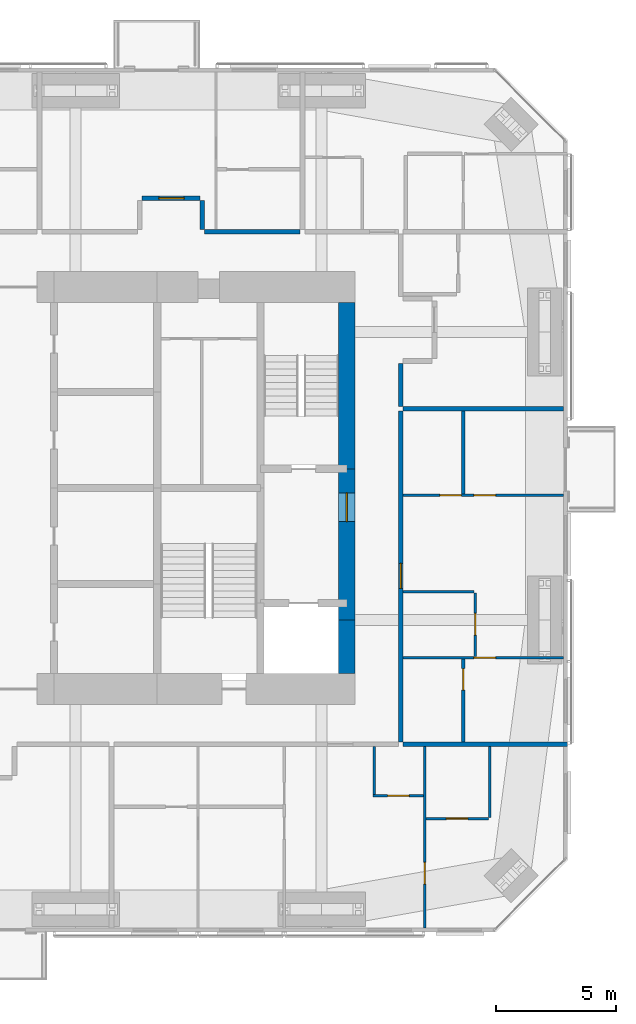
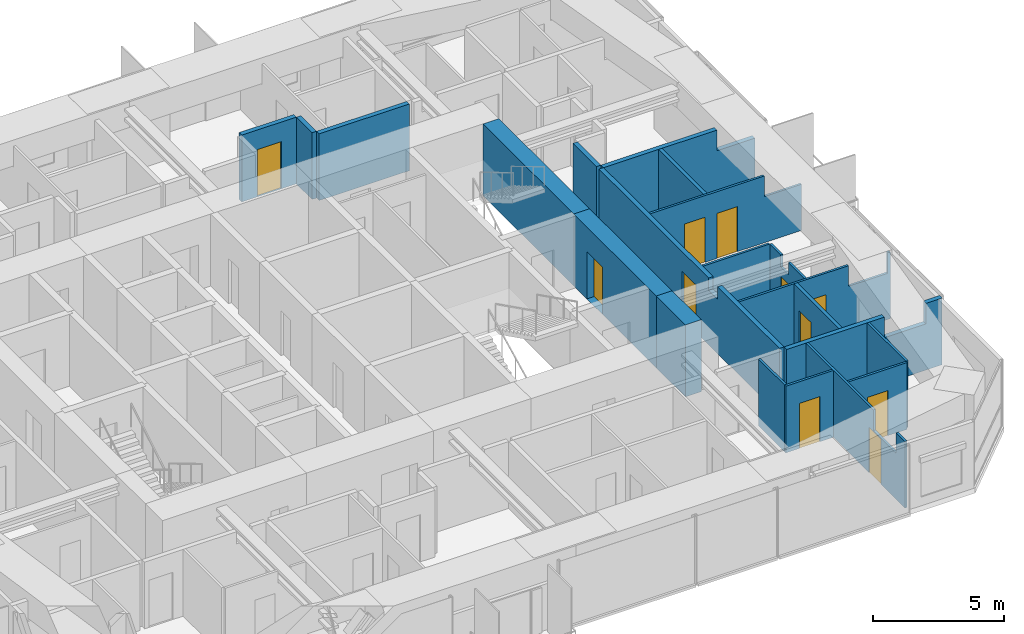
# One storey, part 20 of 23: 21 walls, 11 doors, 11 openings.
"""IFC4 building model written with IfcOpenShell, lengths in metres."""

from ifc_helpers import new_model, si_unit, direction, frame, frame_2d, origin, place, context, subcontext, project, spatial, polyline, rectangle, outline, extrude, material, layer, layer_set, constituent, constituent_set, type_object, element, fill, save


model = new_model("IFC4")

# Units and contexts
model_context = context("Model", 3, precision=1e-05, world=origin(), true_north=direction((0.0, 1.0)))
body_context = subcontext(model_context, "Body", "Model", "MODEL_VIEW")
ifc_project = project(units=[si_unit("LENGTHUNIT", "METRE"), si_unit("AREAUNIT", "SQUARE_METRE"), si_unit("VOLUMEUNIT", "CUBIC_METRE"), si_unit("PLANEANGLEUNIT", "RADIAN"), si_unit("MASSUNIT", "GRAM", prefix="KILO")], contexts=[model_context])

# Site, building, storey
site_placement = place(None, origin())
site = spatial("IfcSite", under=ifc_project, at=site_placement, CompositionType="ELEMENT")
building_placement = place(site_placement, origin())
building = spatial("IfcBuilding", under=site, at=building_placement, Name="Jalousie Tower", CompositionType="ELEMENT")
storey_placement = place(building_placement, frame((0.0, 0.0, 191.199951171875)))
storey = spatial("IfcBuildingStorey", under=building, at=storey_placement, Name="L52", CompositionType="ELEMENT", Elevation=191.199951171875)

# Wall, opening, door
ifc_material_1 = material(Name="Concrete block ASTM C90", Category="concrete")
ifc_constituent_1 = constituent(ifc_material_1, Name="Body")
ifc_material_2 = material(Name="Render")
ifc_constituent_2 = constituent(ifc_material_2, Name="Finish")
ifc_constituent_set_1 = constituent_set(constituents=[ifc_constituent_1, ifc_constituent_2])
wall_type_1 = type_object("IfcWallType", Name="BATHROOM WALL 150", PredefinedType="PLUMBINGWALL", material=ifc_constituent_set_1)
wall_1_placement = place(storey_placement, frame((48.64990234375, 7.925048828125, 0.0), z_axis=(0.0, 0.0, 1.0), x_axis=(0.0, 1.0, 0.0)))
wall_1 = element("IfcWall", 1, at=wall_1_placement, inside=storey, type_object=wall_type_1, Name="Bathroom Wall 150 L52", PredefinedType="PLUMBINGWALL", context=body_context, shape_type="SweptSolid", body=[
    extrude(rectangle(XDim=3.449951171875, YDim=0.14990234375, at=frame_2d((1.72509765625, 0.0))), origin(), (0.0, 0.0, 1.0), 3.110107421875),
])
opening_1_placement = place(wall_1_placement, frame((2.14990234375, 0.0, 0.0)))
opening_1 = element("IfcOpeningElement", 2, at=opening_1_placement, cuts=wall_1, Name="Opening D3", PredefinedType="OPENING", context=body_context, shape_type="SweptSolid", body=[
    extrude(rectangle(XDim=0.89990234375, YDim=2.10009765625, at=frame_2d((0.449951171875, 1.050048828125))), frame((0.0, 0.0849609375, 0.0), z_axis=(0.0, -1.0, 0.0), x_axis=(1.0, 0.0, 0.0)), (0.0, 0.0, 1.0), 0.169921875),
])
ifc_material_3 = material(Name="Timber door", Category="wood")
door_type_1 = type_object("IfcDoorType", Name="BATHROOM DOOR 900", OperationType="SINGLE_SWING_LEFT", PredefinedType="DOOR", material=ifc_material_3)
door_1_placement = place(opening_1_placement, origin())
door_1 = element("IfcDoor", 3, at=door_1_placement, inside=storey, type_object=door_type_1, Name="Apartment 5209 bedroom 1 bathroom door", OperationType="SINGLE_SWING_RIGHT", OverallHeight=2.10009765625, OverallWidth=0.89990234375, PredefinedType="DOOR", context=body_context, shape_type="SweptSolid", body=[
    extrude(rectangle(XDim=0.89990234375, YDim=2.10009765625, at=frame_2d((0.449951171875, 1.050048828125))), frame((0.0, 0.02490234375, 0.0), z_axis=(0.0, -1.0, 0.0), x_axis=(1.0, 0.0, 0.0)), (0.0, 0.0, 1.0), 0.050048828125),
])
fill(opening_1, door_1)

# Walls
wall_2_placement = place(storey_placement, frame((48.64990234375, 18.25, 0.0), z_axis=(0.0, 0.0, 1.0), x_axis=(0.0, 1.0, 0.0)))
element("IfcWall", 4, at=wall_2_placement, inside=storey, type_object=wall_type_1, Name="Bathroom Wall 150 L52", PredefinedType="PLUMBINGWALL", context=body_context, shape_type="SweptSolid", body=[
    extrude(rectangle(XDim=3.449951171875, YDim=0.14990234375, at=frame_2d((1.72509765625, 0.0))), origin(), (0.0, 0.0, 1.0), 3.110107421875),
])
ifc_material_4 = material(Name="Concrete f'c 120 MPa", Category="concrete")
ifc_layer = layer(ifc_material_4, 0.699951171875)
ifc_layer_set = layer_set([ifc_layer], Name="Concrete f'c 120 MPa")
wall_type_2 = type_object("IfcWallType", Name="CORE WALL 700", PredefinedType="SHEAR", material=ifc_layer_set)
wall_3_placement = place(storey_placement, frame((43.800048828125, 10.77490234375, 0.0), z_axis=(0.0, 0.0, 1.0), x_axis=(0.0, 1.0, 0.0)))
element("IfcWall", 5, at=wall_3_placement, inside=storey, type_object=wall_type_2, Name="Core wall EA L52", PredefinedType="SHEAR", context=body_context, shape_type="SweptSolid", body=[
    extrude(rectangle(XDim=2.22509765625, YDim=0.699951171875, at=frame_2d((1.112548828125, 0.0))), origin(), (0.0, 0.0, 1.0), 3.35009765625),
])

# Wall, opening, door
wall_4_placement = place(storey_placement, frame((43.800048828125, 13.0, 0.0), z_axis=(0.0, 0.0, 1.0), x_axis=(0.0, 1.0, 0.0)))
wall_4 = element("IfcWall", 6, at=wall_4_placement, inside=storey, type_object=wall_type_2, Name="Core wall EB L52", PredefinedType="SHEAR", context=body_context, shape_type="SweptSolid", body=[
    extrude(rectangle(XDim=6.300048828125, YDim=0.699951171875, at=frame_2d((3.14990234375, 0.0))), origin(), (0.0, 0.0, 1.0), 3.35009765625),
])
opening_2_placement = place(wall_4_placement, frame((4.10009765625, 0.0, 0.0)))
opening_2 = element("IfcOpeningElement", 7, at=opening_2_placement, cuts=wall_4, Name="Opening D11", PredefinedType="OPENING", context=body_context, shape_type="SweptSolid", body=[
    extrude(rectangle(XDim=1.199951171875, YDim=2.199951171875, at=frame_2d((0.60009765625, 1.10009765625))), frame((0.0, 0.35986328125, 0.0), z_axis=(0.0, -1.0, 0.0), x_axis=(1.0, 0.0, 0.0)), (0.0, 0.0, 1.0), 0.719970703125),
])
ifc_material_5 = material(Name="Steel fire door", Category="steel")
door_type_2 = type_object("IfcDoorType", Name="FIRE DOOR 1200", OperationType="SINGLE_SWING_LEFT", PredefinedType="DOOR", material=ifc_material_5)
door_2_placement = place(opening_2_placement, origin())
door_2 = element("IfcDoor", 8, at=door_2_placement, inside=storey, type_object=door_type_2, Name="Fire-fighting lobby B door", OperationType="SINGLE_SWING_RIGHT", OverallHeight=2.199951171875, OverallWidth=1.199951171875, PredefinedType="DOOR", context=body_context, shape_type="SweptSolid", body=[
    extrude(rectangle(XDim=1.199951171875, YDim=2.199951171875, at=frame_2d((0.60009765625, 1.10009765625))), frame((0.0, 0.02490234375, 0.0), z_axis=(0.0, -1.0, 0.0), x_axis=(1.0, 0.0, 0.0)), (0.0, 0.0, 1.0), 0.050048828125),
])
fill(opening_2, door_2)

# Wall
wall_5_placement = place(storey_placement, frame((43.800048828125, 19.300048828125, 0.0), z_axis=(0.0, 0.0, 1.0), x_axis=(0.0, 1.0, 0.0)))
element("IfcWall", 9, at=wall_5_placement, inside=storey, type_object=wall_type_2, Name="Core wall EC L52", PredefinedType="SHEAR", context=body_context, shape_type="SweptSolid", body=[
    extrude(rectangle(XDim=6.925048828125, YDim=0.699951171875, at=frame_2d((3.46240234375, 0.0))), origin(), (0.0, 0.0, 1.0), 3.35009765625),
])

# Wall, opening, door
ifc_material_6 = material(Name="Concrete block ASTM C90", Category="concrete")
ifc_constituent_3 = constituent(ifc_material_6, Name="Body")
ifc_material_7 = material(Name="Render")
ifc_constituent_4 = constituent(ifc_material_7, Name="Finish")
ifc_constituent_set_2 = constituent_set(constituents=[ifc_constituent_3, ifc_constituent_4])
wall_type_3 = type_object("IfcWallType", Name="CORRIDOR WALL 200", PredefinedType="PARTITIONING", material=ifc_constituent_set_2)
wall_6_placement = place(storey_placement, frame((46.050048828125, 7.925048828125, 0.0), z_axis=(0.0, 0.0, 1.0), x_axis=(0.0, 1.0, 0.0)))
wall_6 = element("IfcWall", 10, at=wall_6_placement, inside=storey, type_object=wall_type_3, Name="Corridor Wall 200 L52", PredefinedType="PARTITIONING", context=body_context, shape_type="SweptSolid", body=[
    extrude(outline(polyline([(0.0, 0.0), (13.77490234375, 0.0), (13.77490234375, 3.110107421875), (5.412353515625, 3.110107421875), (5.412353515625, 2.541015625), (4.73779296875, 2.541015625), (4.73779296875, 3.110107421875), (0.0, 3.110107421875), (0.0, 0.0)])), frame((0.0, 0.10009765625, 0.0), z_axis=(0.0, -1.0, 0.0), x_axis=(1.0, 0.0, 0.0)), (0.0, 0.0, 1.0), 0.199951171875),
])
opening_3_placement = place(wall_6_placement, frame((6.387451171875, 0.0, 0.0)))
opening_3 = element("IfcOpeningElement", 11, at=opening_3_placement, cuts=wall_6, Name="Opening D1", PredefinedType="OPENING", context=body_context, shape_type="SweptSolid", body=[
    extrude(rectangle(XDim=1.050048828125, YDim=2.199951171875, at=frame_2d((0.52490234375, 1.10009765625))), frame((0.0, 0.10986328125, 0.0), z_axis=(0.0, -1.0, 0.0), x_axis=(1.0, 0.0, 0.0)), (0.0, 0.0, 1.0), 0.219970703125),
])
ifc_material_8 = material(Name="Timber fire door", Category="wood")
door_type_3 = type_object("IfcDoorType", Name="APARTMENT ENTRANCE DOOR 1050", OperationType="SINGLE_SWING_LEFT", PredefinedType="DOOR", material=ifc_material_8)
door_3_placement = place(opening_3_placement, frame((1.050048828125, 0.0, 0.0), z_axis=(0.0, 0.0, 1.0), x_axis=(-1.0, 0.0, 0.0)))
door_3 = element("IfcDoor", 12, at=door_3_placement, inside=storey, type_object=door_type_3, Name="Apartment 5209 entrance", OperationType="SINGLE_SWING_RIGHT", OverallHeight=2.199951171875, OverallWidth=1.050048828125, PredefinedType="DOOR", context=body_context, shape_type="SweptSolid", body=[
    extrude(rectangle(XDim=1.050048828125, YDim=2.199951171875, at=frame_2d((0.52490234375, 1.10009765625))), frame((0.0, 0.02490234375, 0.0), z_axis=(0.0, -1.0, 0.0), x_axis=(1.0, 0.0, 0.0)), (0.0, 0.0, 1.0), 0.050048828125),
])
fill(opening_3, door_3)

# Walls
wall_7_placement = place(storey_placement, frame((46.050048828125, 21.89990234375, 0.0), z_axis=(0.0, 0.0, 1.0), x_axis=(0.0, 1.0, 0.0)))
element("IfcWall", 13, at=wall_7_placement, inside=storey, type_object=wall_type_3, Name="Corridor Wall 200 L52", PredefinedType="PARTITIONING", context=body_context, shape_type="SweptSolid", body=[
    extrude(rectangle(XDim=1.78759765625, YDim=0.199951171875, at=frame_2d((0.893798828125, 0.0))), origin(), (0.0, 0.0, 1.0), 3.110107421875),
])
wall_8_placement = place(storey_placement, frame((37.875, 29.175048828125, 0.0), z_axis=(0.0, 0.0, 1.0), x_axis=(1.0, 0.0, 0.0)))
element("IfcWall", 14, at=wall_8_placement, inside=storey, type_object=wall_type_3, Name="Corridor Wall 200 L52", PredefinedType="PARTITIONING", context=body_context, shape_type="SweptSolid", body=[
    extrude(rectangle(XDim=3.97509765625, YDim=0.199951171875, at=frame_2d((1.987548828125, 0.0))), origin(), (0.0, 0.0, 1.0), 3.110107421875),
])

# Wall, opening, door
wall_9_placement = place(storey_placement, frame((35.27490234375, 30.574951171875, 0.0), z_axis=(0.0, 0.0, 1.0), x_axis=(1.0, 0.0, 0.0)))
wall_9 = element("IfcWall", 15, at=wall_9_placement, inside=storey, type_object=wall_type_3, Name="Corridor Wall 200 L52", PredefinedType="PARTITIONING", context=body_context, shape_type="SweptSolid", body=[
    extrude(rectangle(XDim=2.400146484375, YDim=0.199951171875, at=frame_2d((1.2001953125, 0.0))), origin(), (0.0, 0.0, 1.0), 3.110107421875),
])
opening_4_placement = place(wall_9_placement, frame((0.699951171875, 0.0, 0.0)))
opening_4 = element("IfcOpeningElement", 16, at=opening_4_placement, cuts=wall_9, Name="Opening D1", PredefinedType="OPENING", context=body_context, shape_type="SweptSolid", body=[
    extrude(rectangle(XDim=1.050048828125, YDim=2.199951171875, at=frame_2d((0.52490234375, 1.10009765625))), frame((0.0, 0.10986328125, 0.0), z_axis=(0.0, -1.0, 0.0), x_axis=(1.0, 0.0, 0.0)), (0.0, 0.0, 1.0), 0.219970703125),
])
door_4_placement = place(opening_4_placement, origin())
door_4 = element("IfcDoor", 17, at=door_4_placement, inside=storey, type_object=door_type_3, Name="Apartment 5206 entrance", OperationType="SINGLE_SWING_RIGHT", OverallHeight=2.199951171875, OverallWidth=1.050048828125, PredefinedType="DOOR", context=body_context, shape_type="SweptSolid", body=[
    extrude(rectangle(XDim=1.050048828125, YDim=2.199951171875, at=frame_2d((0.52490234375, 1.10009765625))), frame((0.0, 0.02490234375, 0.0), z_axis=(0.0, -1.0, 0.0), x_axis=(1.0, 0.0, 0.0)), (0.0, 0.0, 1.0), 0.050048828125),
])
fill(opening_4, door_4)

# Wall
wall_10_placement = place(storey_placement, frame((37.77490234375, 29.27490234375, 0.0), z_axis=(0.0, 0.0, 1.0), x_axis=(0.0, 1.0, 0.0)))
element("IfcWall", 18, at=wall_10_placement, inside=storey, type_object=wall_type_3, Name="Corridor Wall 200 L52", PredefinedType="PARTITIONING", context=body_context, shape_type="SweptSolid", body=[
    extrude(rectangle(XDim=1.2001953125, YDim=0.199951171875, at=frame_2d((0.60009765625, 0.0))), origin(), (0.0, 0.0, 1.0), 3.110107421875),
])

# Wall, opening, door
ifc_material_9 = material(Name="Gypsum board", Category="gypsum")
ifc_constituent_5 = constituent(ifc_material_9, Name="Body")
ifc_material_10 = material(Name="Light-gauge steel studs ASTM A653 SS Grade 33", Category="steel")
ifc_constituent_6 = constituent(ifc_material_10, Name="Framing")
ifc_constituent_set_3 = constituent_set(constituents=[ifc_constituent_5, ifc_constituent_6])
wall_type_4 = type_object("IfcWallType", Name="PARTITION 100", PredefinedType="PARTITIONING", material=ifc_constituent_set_3)
wall_11_placement = place(storey_placement, frame((47.050048828125, 0.175048828125, 0.0), z_axis=(0.0, 0.0, 1.0), x_axis=(0.0, 1.0, 0.0)))
wall_11 = element("IfcWall", 19, at=wall_11_placement, inside=storey, type_object=wall_type_4, Name="Partition 100 L52", PredefinedType="PARTITIONING", context=body_context, shape_type="SweptSolid", body=[
    extrude(outline(polyline([(0.0, 0.0), (7.550048828125, 0.0), (7.550048828125, 3.110107421875), (2.409423828125, 3.110107421875), (2.409423828125, 2.150146484375), (0.66259765625, 2.150146484375), (0.66259765625, 3.110107421875), (0.0, 3.110107421875), (0.0, 0.0)])), frame((0.0, 0.050048828125, 0.0), z_axis=(0.0, -1.0, 0.0), x_axis=(1.0, 0.0, 0.0)), (0.0, 0.0, 1.0), 0.10009765625),
])
opening_5_placement = place(wall_11_placement, frame((1.824951171875, 0.0, 0.0)))
opening_5 = element("IfcOpeningElement", 20, at=opening_5_placement, cuts=wall_11, Name="Opening D2", PredefinedType="OPENING", context=body_context, shape_type="SweptSolid", body=[
    extrude(rectangle(XDim=0.89990234375, YDim=2.10009765625, at=frame_2d((0.449951171875, 1.050048828125))), frame((0.0, 0.06005859375, 0.0), z_axis=(0.0, -1.0, 0.0), x_axis=(1.0, 0.0, 0.0)), (0.0, 0.0, 1.0), 0.1201171875),
])
ifc_material_11 = material(Name="Timber door", Category="wood")
door_type_4 = type_object("IfcDoorType", Name="BEDROOM DOOR 900", OperationType="SINGLE_SWING_LEFT", PredefinedType="DOOR", material=ifc_material_11)
door_5_placement = place(opening_5_placement, origin())
door_5 = element("IfcDoor", 21, at=door_5_placement, inside=storey, type_object=door_type_4, Name="Apartment 5203 study door", OperationType="SINGLE_SWING_LEFT", OverallHeight=2.10009765625, OverallWidth=0.89990234375, PredefinedType="DOOR", context=body_context, shape_type="SweptSolid", body=[
    extrude(rectangle(XDim=0.89990234375, YDim=2.10009765625, at=frame_2d((0.449951171875, 1.050048828125))), frame((0.0, 0.02490234375, 0.0), z_axis=(0.0, -1.0, 0.0), x_axis=(1.0, 0.0, 0.0)), (0.0, 0.0, 1.0), 0.050048828125),
])
fill(opening_5, door_5)

wall_12_placement = place(storey_placement, frame((47.10009765625, 4.72509765625, 0.0), z_axis=(0.0, 0.0, 1.0), x_axis=(1.0, 0.0, 0.0)))
wall_12 = element("IfcWall", 22, at=wall_12_placement, inside=storey, type_object=wall_type_4, Name="Partition 100 L52", PredefinedType="PARTITIONING", context=body_context, shape_type="SweptSolid", body=[
    extrude(rectangle(XDim=2.599853515625, YDim=0.10009765625, at=frame_2d((1.2998046875, 0.0))), origin(), (0.0, 0.0, 1.0), 3.110107421875),
])
opening_6_placement = place(wall_12_placement, frame((0.85009765625, 0.0, 0.0)))
opening_6 = element("IfcOpeningElement", 23, at=opening_6_placement, cuts=wall_12, Name="Opening D7", PredefinedType="OPENING", context=body_context, shape_type="SweptSolid", body=[
    extrude(rectangle(XDim=0.89990234375, YDim=2.10009765625, at=frame_2d((0.449951171875, 1.050048828125))), frame((0.0, 0.06005859375, 0.0), z_axis=(0.0, -1.0, 0.0), x_axis=(1.0, 0.0, 0.0)), (0.0, 0.0, 1.0), 0.1201171875),
])
ifc_material_12 = material(Name="Timber door", Category="wood")
door_type_5 = type_object("IfcDoorType", Name="INTERNAL DOOR 900", OperationType="SINGLE_SWING_LEFT", PredefinedType="DOOR", material=ifc_material_12)
door_6_placement = place(opening_6_placement, frame((0.89990234375, 0.0, 0.0), z_axis=(0.0, 0.0, 1.0), x_axis=(-1.0, 0.0, 0.0)))
door_6 = element("IfcDoor", 24, at=door_6_placement, inside=storey, type_object=door_type_5, Name="Apartment 5203 kitchen door", OperationType="SINGLE_SWING_RIGHT", OverallHeight=2.10009765625, OverallWidth=0.89990234375, PredefinedType="DOOR", context=body_context, shape_type="SweptSolid", body=[
    extrude(rectangle(XDim=0.89990234375, YDim=2.10009765625, at=frame_2d((0.449951171875, 1.050048828125))), frame((0.0, 0.02490234375, 0.0), z_axis=(0.0, -1.0, 0.0), x_axis=(1.0, 0.0, 0.0)), (0.0, 0.0, 1.0), 0.050048828125),
])
fill(opening_6, door_6)

# Wall
wall_13_placement = place(storey_placement, frame((49.75, 4.77490234375, 0.0), z_axis=(0.0, 0.0, 1.0), x_axis=(0.0, 1.0, 0.0)))
element("IfcWall", 25, at=wall_13_placement, inside=storey, type_object=wall_type_4, Name="Partition 100 L52", PredefinedType="PARTITIONING", context=body_context, shape_type="SweptSolid", body=[
    extrude(rectangle(XDim=2.9501953125, YDim=0.10009765625, at=frame_2d((1.47509765625, 0.0))), origin(), (0.0, 0.0, 1.0), 3.110107421875),
])

# Wall, opening, door
wall_14_placement = place(storey_placement, frame((52.824951171875, 11.425048828125, 0.0), z_axis=(0.0, 0.0, 1.0), x_axis=(-1.0, 0.0, 0.0)))
wall_14 = element("IfcWall", 26, at=wall_14_placement, inside=storey, type_object=wall_type_4, Name="Partition 100 L52", PredefinedType="PARTITIONING", context=body_context, shape_type="SweptSolid", body=[
    extrude(outline(polyline([(0.0, 0.0), (6.675048828125, 0.0), (6.675048828125, 3.110107421875), (1.84912109375, 3.110107421875), (1.84912109375, 2.150146484375), (0.114501953125, 2.150146484375), (0.114501953125, 3.110107421875), (0.0, 3.110107421875), (0.0, 0.0)])), frame((0.0, 0.050048828125, 0.0), z_axis=(0.0, -1.0, 0.0), x_axis=(1.0, 0.0, 0.0)), (0.0, 0.0, 1.0), 0.10009765625),
])
opening_7_placement = place(wall_14_placement, frame((2.824951171875, 0.0, 0.0)))
opening_7 = element("IfcOpeningElement", 27, at=opening_7_placement, cuts=wall_14, Name="Opening D2", PredefinedType="OPENING", context=body_context, shape_type="SweptSolid", body=[
    extrude(rectangle(XDim=0.89990234375, YDim=2.10009765625, at=frame_2d((0.449951171875, 1.050048828125))), frame((0.0, 0.06005859375, 0.0), z_axis=(0.0, -1.0, 0.0), x_axis=(1.0, 0.0, 0.0)), (0.0, 0.0, 1.0), 0.1201171875),
])
door_7_placement = place(opening_7_placement, origin())
door_7 = element("IfcDoor", 28, at=door_7_placement, inside=storey, type_object=door_type_4, Name="Apartment 5209 bedroom 1 door", OperationType="SINGLE_SWING_RIGHT", OverallHeight=2.10009765625, OverallWidth=0.89990234375, PredefinedType="DOOR", context=body_context, shape_type="SweptSolid", body=[
    extrude(rectangle(XDim=0.89990234375, YDim=2.10009765625, at=frame_2d((0.449951171875, 1.050048828125))), frame((0.0, 0.02490234375, 0.0), z_axis=(0.0, -1.0, 0.0), x_axis=(1.0, 0.0, 0.0)), (0.0, 0.0, 1.0), 0.050048828125),
])
fill(opening_7, door_7)

# Wall, openings, doors
wall_15_placement = place(storey_placement, frame((52.824951171875, 18.199951171875, 0.0), z_axis=(0.0, 0.0, 1.0), x_axis=(-1.0, 0.0, 0.0)))
wall_15 = element("IfcWall", 29, at=wall_15_placement, inside=storey, type_object=wall_type_4, Name="Partition 100 L52", PredefinedType="PARTITIONING", context=body_context, shape_type="SweptSolid", body=[
    extrude(outline(polyline([(0.0, 0.0), (6.675048828125, 0.0), (6.675048828125, 3.110107421875), (1.635009765625, 3.110107421875), (1.635009765625, 2.150146484375), (0.0, 2.150146484375), (0.0, 3.110107421875), (0.0, 0.0)])), frame((0.0, 0.050048828125, 0.0), z_axis=(0.0, -1.0, 0.0), x_axis=(1.0, 0.0, 0.0)), (0.0, 0.0, 1.0), 0.10009765625),
])
opening_8_placement = place(wall_15_placement, frame((2.824951171875, 0.0, 0.0)))
opening_8 = element("IfcOpeningElement", 30, at=opening_8_placement, cuts=wall_15, Name="Opening D2", PredefinedType="OPENING", context=body_context, shape_type="SweptSolid", body=[
    extrude(rectangle(XDim=0.89990234375, YDim=2.10009765625, at=frame_2d((0.449951171875, 1.050048828125))), frame((0.0, 0.06005859375, 0.0), z_axis=(0.0, -1.0, 0.0), x_axis=(1.0, 0.0, 0.0)), (0.0, 0.0, 1.0), 0.1201171875),
])
opening_9_placement = place(wall_15_placement, frame((4.25, 0.0, 0.0)))
opening_9 = element("IfcOpeningElement", 31, at=opening_9_placement, cuts=wall_15, Name="Opening D7", PredefinedType="OPENING", context=body_context, shape_type="SweptSolid", body=[
    extrude(rectangle(XDim=0.89990234375, YDim=2.10009765625, at=frame_2d((0.449951171875, 1.050048828125))), frame((0.0, 0.06005859375, 0.0), z_axis=(0.0, -1.0, 0.0), x_axis=(1.0, 0.0, 0.0)), (0.0, 0.0, 1.0), 0.1201171875),
])
door_8_placement = place(opening_8_placement, frame((0.89990234375, 0.0, 0.0), z_axis=(0.0, 0.0, 1.0), x_axis=(-1.0, 0.0, 0.0)))
door_8 = element("IfcDoor", 32, at=door_8_placement, inside=storey, type_object=door_type_4, Name="Apartment 5209 bedroom 2 door", OperationType="SINGLE_SWING_LEFT", OverallHeight=2.10009765625, OverallWidth=0.89990234375, PredefinedType="DOOR", context=body_context, shape_type="SweptSolid", body=[
    extrude(rectangle(XDim=0.89990234375, YDim=2.10009765625, at=frame_2d((0.449951171875, 1.050048828125))), frame((0.0, 0.02490234375, 0.0), z_axis=(0.0, -1.0, 0.0), x_axis=(1.0, 0.0, 0.0)), (0.0, 0.0, 1.0), 0.050048828125),
])
fill(opening_8, door_8)
door_9_placement = place(opening_9_placement, frame((0.89990234375, 0.0, 0.0), z_axis=(0.0, 0.0, 1.0), x_axis=(-1.0, 0.0, 0.0)))
door_9 = element("IfcDoor", 33, at=door_9_placement, inside=storey, type_object=door_type_5, Name="Apartment 5209 bathroom door", OperationType="SINGLE_SWING_RIGHT", OverallHeight=2.10009765625, OverallWidth=0.89990234375, PredefinedType="DOOR", context=body_context, shape_type="SweptSolid", body=[
    extrude(rectangle(XDim=0.89990234375, YDim=2.10009765625, at=frame_2d((0.449951171875, 1.050048828125))), frame((0.0, 0.02490234375, 0.0), z_axis=(0.0, -1.0, 0.0), x_axis=(1.0, 0.0, 0.0)), (0.0, 0.0, 1.0), 0.050048828125),
])
fill(opening_9, door_9)

# Wall, opening, door
wall_16_placement = place(storey_placement, frame((49.14990234375, 11.47509765625, 0.0), z_axis=(0.0, 0.0, 1.0), x_axis=(0.0, 1.0, 0.0)))
wall_16 = element("IfcWall", 34, at=wall_16_placement, inside=storey, type_object=wall_type_4, Name="Partition 100 L52", PredefinedType="PARTITIONING", context=body_context, shape_type="SweptSolid", body=[
    extrude(outline(polyline([(0.0, 0.0), (2.64990234375, 0.0), (2.64990234375, 3.110107421875), (1.8125, 3.110107421875), (1.8125, 2.541015625), (1.23779296875, 2.541015625), (1.23779296875, 3.110107421875), (0.0, 3.110107421875), (0.0, 0.0)])), frame((0.0, 0.050048828125, 0.0), z_axis=(0.0, -1.0, 0.0), x_axis=(1.0, 0.0, 0.0)), (0.0, 0.0, 1.0), 0.10009765625),
])
opening_10_placement = place(wall_16_placement, frame((0.89990234375, 0.0, 0.0)))
opening_10 = element("IfcOpeningElement", 35, at=opening_10_placement, cuts=wall_16, Name="Opening D7", PredefinedType="OPENING", context=body_context, shape_type="SweptSolid", body=[
    extrude(rectangle(XDim=0.89990234375, YDim=2.10009765625, at=frame_2d((0.449951171875, 1.050048828125))), frame((0.0, 0.06005859375, 0.0), z_axis=(0.0, -1.0, 0.0), x_axis=(1.0, 0.0, 0.0)), (0.0, 0.0, 1.0), 0.1201171875),
])
door_10_placement = place(opening_10_placement, frame((0.89990234375, 0.0, 0.0), z_axis=(0.0, 0.0, 1.0), x_axis=(-1.0, 0.0, 0.0)))
door_10 = element("IfcDoor", 36, at=door_10_placement, inside=storey, type_object=door_type_5, Name="Apartment 5209 kitchen door", OperationType="SINGLE_SWING_RIGHT", OverallHeight=2.10009765625, OverallWidth=0.89990234375, PredefinedType="DOOR", context=body_context, shape_type="SweptSolid", body=[
    extrude(rectangle(XDim=0.89990234375, YDim=2.10009765625, at=frame_2d((0.449951171875, 1.050048828125))), frame((0.0, 0.02490234375, 0.0), z_axis=(0.0, -1.0, 0.0), x_axis=(1.0, 0.0, 0.0)), (0.0, 0.0, 1.0), 0.050048828125),
])
fill(opening_10, door_10)

# Wall
wall_17_placement = place(storey_placement, frame((49.10009765625, 14.175048828125, 0.0), z_axis=(0.0, 0.0, 1.0), x_axis=(-1.0, 0.0, 0.0)))
element("IfcWall", 37, at=wall_17_placement, inside=storey, type_object=wall_type_4, Name="Partition 100 L52", PredefinedType="PARTITIONING", context=body_context, shape_type="SweptSolid", body=[
    extrude(rectangle(XDim=2.9501953125, YDim=0.10009765625, at=frame_2d((1.47509765625, 0.0))), origin(), (0.0, 0.0, 1.0), 3.110107421875),
])

# Wall, opening, door
wall_18_placement = place(storey_placement, frame((47.0, 5.675048828125, 0.0), z_axis=(0.0, 0.0, 1.0), x_axis=(-1.0, 0.0, 0.0)))
wall_18 = element("IfcWall", 38, at=wall_18_placement, inside=storey, type_object=wall_type_4, Name="Partition 100 L52", PredefinedType="PARTITIONING", context=body_context, shape_type="SweptSolid", body=[
    extrude(rectangle(XDim=2.10009765625, YDim=0.10009765625, at=frame_2d((1.050048828125, 0.0))), origin(), (0.0, 0.0, 1.0), 3.110107421875),
])
opening_11_placement = place(wall_18_placement, frame((0.60009765625, 0.0, 0.0)))
opening_11 = element("IfcOpeningElement", 39, at=opening_11_placement, cuts=wall_18, Name="Opening D7", PredefinedType="OPENING", context=body_context, shape_type="SweptSolid", body=[
    extrude(rectangle(XDim=0.89990234375, YDim=2.10009765625, at=frame_2d((0.449951171875, 1.050048828125))), frame((0.0, 0.06005859375, 0.0), z_axis=(0.0, -1.0, 0.0), x_axis=(1.0, 0.0, 0.0)), (0.0, 0.0, 1.0), 0.1201171875),
])
door_11_placement = place(opening_11_placement, origin())
door_11 = element("IfcDoor", 40, at=door_11_placement, inside=storey, type_object=door_type_5, Name="Apartment 5203 study store room door", OperationType="SINGLE_SWING_LEFT", OverallHeight=2.10009765625, OverallWidth=0.89990234375, PredefinedType="DOOR", context=body_context, shape_type="SweptSolid", body=[
    extrude(rectangle(XDim=0.89990234375, YDim=2.10009765625, at=frame_2d((0.449951171875, 1.050048828125))), frame((0.0, 0.02490234375, 0.0), z_axis=(0.0, -1.0, 0.0), x_axis=(1.0, 0.0, 0.0)), (0.0, 0.0, 1.0), 0.050048828125),
])
fill(opening_11, door_11)

# Walls
wall_19_placement = place(storey_placement, frame((44.949951171875, 7.72509765625, 0.0), z_axis=(0.0, 0.0, 1.0), x_axis=(0.0, -1.0, 0.0)))
element("IfcWall", 41, at=wall_19_placement, inside=storey, type_object=wall_type_4, Name="Partition 100 L52", PredefinedType="PARTITIONING", context=body_context, shape_type="SweptSolid", body=[
    extrude(rectangle(XDim=2.0, YDim=0.10009765625, at=frame_2d((1.0, 0.0))), origin(), (0.0, 0.0, 1.0), 3.110107421875),
])
ifc_material_13 = material(Name="Concrete block ASTM C90", Category="concrete")
ifc_constituent_7 = constituent(ifc_material_13, Name="Body")
ifc_material_14 = material(Name="Render")
ifc_constituent_8 = constituent(ifc_material_14, Name="Finish")
ifc_constituent_set_4 = constituent_set(constituents=[ifc_constituent_7, ifc_constituent_8])
wall_type_5 = type_object("IfcWallType", Name="PARTY WALL 200", PredefinedType="PARTITIONING", material=ifc_constituent_set_4)
wall_20_placement = place(storey_placement, frame((46.14990234375, 7.824951171875, 0.0), z_axis=(0.0, 0.0, 1.0), x_axis=(1.0, 0.0, 0.0)))
element("IfcWall", 42, at=wall_20_placement, inside=storey, type_object=wall_type_5, Name="Party Wall 200 L52", PredefinedType="PARTITIONING", context=body_context, shape_type="SweptSolid", body=[
    extrude(outline(polyline([(0.0, 0.0), (6.85009765625, 0.0), (6.85009765625, 3.110107421875), (6.138427734375, 3.110107421875), (6.138427734375, 2.150146484375), (4.302734375, 2.150146484375), (4.302734375, 3.110107421875), (0.0, 3.110107421875), (0.0, 0.0)])), frame((0.0, 0.10009765625, 0.0), z_axis=(0.0, -1.0, 0.0), x_axis=(1.0, 0.0, 0.0)), (0.0, 0.0, 1.0), 0.199951171875),
])
wall_21_placement = place(storey_placement, frame((52.824951171875, 21.800048828125, 0.0), z_axis=(0.0, 0.0, 1.0), x_axis=(-1.0, 0.0, 0.0)))
element("IfcWall", 43, at=wall_21_placement, inside=storey, type_object=wall_type_5, Name="Party Wall 200 L52", PredefinedType="PARTITIONING", context=body_context, shape_type="SweptSolid", body=[
    extrude(outline(polyline([(0.0, 0.0), (6.675048828125, 0.0), (6.675048828125, 3.110107421875), (1.68505859375, 3.110107421875), (1.68505859375, 2.150146484375), (0.0, 2.150146484375), (0.0, 3.110107421875), (0.0, 0.0)])), frame((0.0, 0.10009765625, 0.0), z_axis=(0.0, -1.0, 0.0), x_axis=(1.0, 0.0, 0.0)), (0.0, 0.0, 1.0), 0.199951171875),
])

save(model, "model.ifc")
